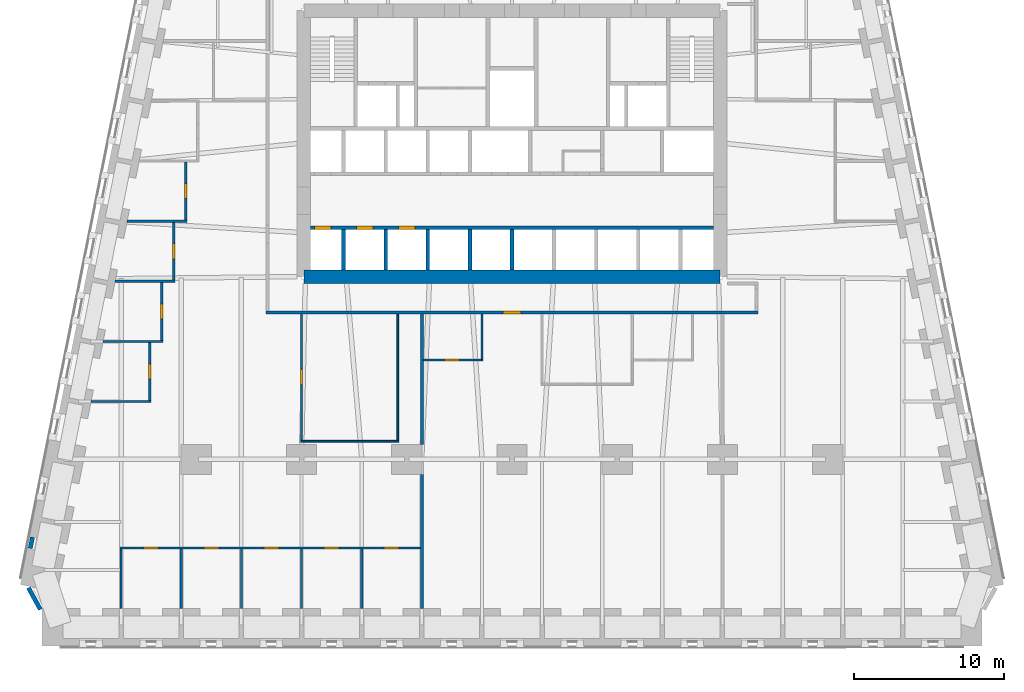
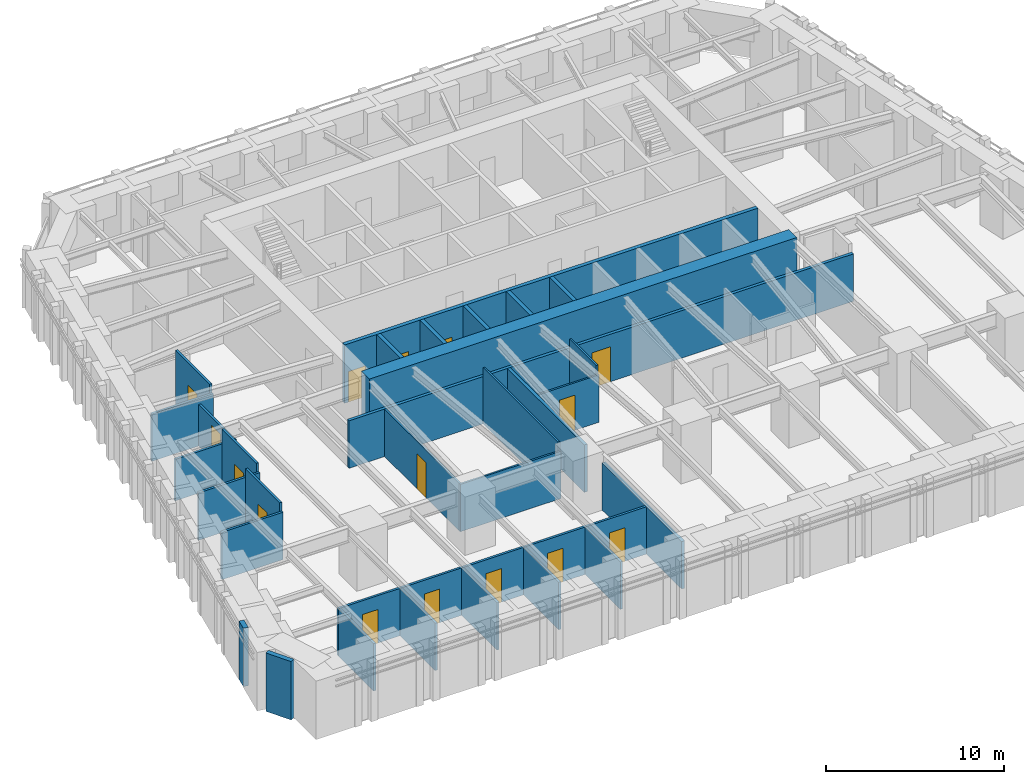
# One storey, part 11 of 16: 31 walls, 15 doors, 15 openings.
"""IFC4 building model written with IfcOpenShell, lengths in metres."""

import ifcopenshell
import ifcopenshell.guid

model = None  # the IFC model being written
_history = None  # IfcOwnerHistory: only IFC2X3 demands one
_inside = {}  # id of a spatial element -> (the spatial element, [elements in it])
_under = {}  # id of a project, library or spatial element -> (it, [spatial elements below it])
_declared = {}  # id of a project -> (the project, [libraries it declares])
_typed = {}  # id of a type object -> (the type object, [elements of that type])
_made_of = {}  # id of a material, layer set ... -> (it, [elements and type objects made of it])


def new_model(schema):
    """Start an empty IFC model of exactly this schema.

    Asked for "IFC4X3", IfcOpenShell would pick the latest addendum, in which some entities
    have other attributes; the version numbers below select the first issue.
    IFC2X3 requires an IfcOwnerHistory on every rooted entity: one is made here for all.
    """
    global model, _history
    if schema == "IFC4X3":
        model = ifcopenshell.file(schema_version=(4, 3, 0, 0))
    else:
        model = ifcopenshell.file(schema=schema)
    _inside.clear()
    _under.clear()
    _declared.clear()
    _typed.clear()
    _made_of.clear()
    _history = None
    if model.schema == "IFC2X3":
        org = make("IfcOrganization", Name="unknown")
        user = make(
            "IfcPersonAndOrganization",
            ThePerson=make("IfcPerson", FamilyName="unknown"),
            TheOrganization=org,
        )
        app = make(
            "IfcApplication",
            ApplicationDeveloper=org,
            Version="unknown",
            ApplicationFullName="unknown",
            ApplicationIdentifier="unknown",
        )
        _history = make(
            "IfcOwnerHistory",
            OwningUser=user,
            OwningApplication=app,
            ChangeAction="ADDED",
            CreationDate=0,
        )
    return model


def make(cls, **values):
    """One entity of the class cls with the attributes given. An attribute that is None is left unset."""
    return model.create_entity(
        cls, **{name: value for name, value in values.items() if value is not None}
    )


def rooted(cls, **values):
    """An entity with a GlobalId (a new one), such as an element, a storey or a relation."""
    return make(cls, GlobalId=ifcopenshell.guid.new(), OwnerHistory=_history, **values)


def si_unit(unit_type, name, prefix=None):
    """IfcSIUnit, for example si_unit("LENGTHUNIT", "METRE", prefix="MILLI")."""
    return make("IfcSIUnit", UnitType=unit_type, Prefix=prefix, Name=name)


def assignment(units):
    """IfcUnitAssignment: the units of a project."""
    return None if units is None else make("IfcUnitAssignment", Units=units)


def point(xyz):
    """IfcCartesianPoint."""
    return None if xyz is None else make("IfcCartesianPoint", Coordinates=xyz)


def direction(xyz):
    """IfcDirection."""
    return None if xyz is None else make("IfcDirection", DirectionRatios=xyz)


def frame(location, z_axis=None, x_axis=None):
    """IfcAxis2Placement3D, a coordinate frame: its origin and axes. An axis left out is left unset."""
    return make(
        "IfcAxis2Placement3D",
        Location=point(location),
        Axis=direction(z_axis),
        RefDirection=direction(x_axis),
    )


def frame_2d(location, x_axis=None):
    """IfcAxis2Placement2D, a coordinate frame in the plane: its origin and x axis."""
    return make(
        "IfcAxis2Placement2D", Location=point(location), RefDirection=direction(x_axis)
    )


def origin():
    """The frame at (0, 0, 0) with its axes left unset."""
    return frame((0.0, 0.0, 0.0))


def place(relative_to, where):
    """IfcLocalPlacement: puts the frame where relative to a parent placement (None: the world)."""
    return make(
        "IfcLocalPlacement", PlacementRelTo=relative_to, RelativePlacement=where
    )


def context(
    kind, dimensions, precision=None, world=None, true_north=None, identifier=None
):
    """IfcGeometricRepresentationContext, for example the 3D "Model" context."""
    return make(
        "IfcGeometricRepresentationContext",
        ContextIdentifier=identifier,
        ContextType=kind,
        CoordinateSpaceDimension=dimensions,
        Precision=precision,
        WorldCoordinateSystem=world,
        TrueNorth=true_north,
    )


def subcontext(parent, identifier, kind, view, scale=None):
    """IfcGeometricRepresentationSubContext, for example "Body" below "Model"."""
    return make(
        "IfcGeometricRepresentationSubContext",
        ContextIdentifier=identifier,
        ContextType=kind,
        ParentContext=parent,
        TargetScale=scale,
        TargetView=view,
    )


def project(units=None, contexts=None):
    """IfcProject with its units and contexts."""
    return rooted(
        "IfcProject",
        Name="project",
        RepresentationContexts=contexts,
        UnitsInContext=assignment(units),
    )


def spatial(cls, under=None, at=None, **own):
    """A site, building, storey or space (cls), placed at a placement, below another one or the project."""
    s = rooted(cls, ObjectPlacement=at, **own)
    if under is not None:
        _under.setdefault(under.id(), (under, []))[1].append(s)
    return s


def profile(cls, at=None, kind="AREA", **sizes):
    """A parametric profile (cls). Its sizes go by their IFC names, for example OverallWidth=200.0."""
    return make(cls, ProfileType=kind, Position=at, **sizes)


def rectangle(**sizes):
    """IfcRectangleProfileDef."""
    return profile("IfcRectangleProfileDef", **sizes)


def extrude(swept, where, along, depth):
    """IfcExtrudedAreaSolid: the profile swept, set in the frame where, extruded along a direction by depth."""
    return make(
        "IfcExtrudedAreaSolid",
        SweptArea=swept,
        Position=where,
        ExtrudedDirection=direction(along),
        Depth=depth,
    )


def shape(context_of_items, identifier, shape_type, items):
    """IfcShapeRepresentation: the items that make up one representation, for example the "Body"."""
    return make(
        "IfcShapeRepresentation",
        ContextOfItems=context_of_items,
        RepresentationIdentifier=identifier,
        RepresentationType=shape_type,
        Items=items,
    )


def material(Name=None, Category=None):
    """IfcMaterial."""
    return make("IfcMaterial", Name=Name, Category=Category)


def layer(
    of_material, thickness, ventilated=None, Name=None, Category=None, Priority=None
):
    """IfcMaterialLayer: one layer of a wall or slab, of a material (None: an air gap)."""
    return make(
        "IfcMaterialLayer",
        Material=of_material,
        LayerThickness=thickness,
        IsVentilated=ventilated,
        Name=Name,
        Category=Category,
        Priority=Priority,
    )


def layer_set(layers, Name=None):
    """IfcMaterialLayerSet."""
    return make("IfcMaterialLayerSet", MaterialLayers=layers, LayerSetName=Name)


def made_of(thing, what):
    """Note that an element or type object is made of a material, layer set ...; save() writes the relation."""
    if what is not None:
        _made_of.setdefault(what.id(), (what, []))[1].append(thing)
    return thing


def type_object(cls, material=None, **own):
    """A type object (cls), such as IfcWallType, which elements share."""
    return made_of(rooted(cls, **own), material)


def element(
    cls,
    number,
    at=None,
    inside=None,
    cuts=None,
    type_object=None,
    material=None,
    context=None,
    identifier="Body",
    shape_type=None,
    held_by="IfcProductDefinitionShape",
    body=None,
    shapes=None,
    **own,
):
    """One element of the class cls, such as IfcWall. Its Tag is "e" and its number.

    at: its placement. inside: the storey or other place that contains it. cuts: it is an
    opening in that element (IfcRelVoidsElement). A single representation is given by context,
    identifier, shape_type and body (its items); several are given by shapes. held_by: the class
    of the entity that holds the representations. save() writes the other relations.
    """
    e = rooted(cls, Tag="e%d" % number, ObjectPlacement=at, **own)
    if body is not None:
        shapes = [shape(context, identifier, shape_type, body)]
    if shapes is not None:
        e.Representation = make(held_by, Representations=shapes)
    if inside is not None:
        _inside.setdefault(inside.id(), (inside, []))[1].append(e)
    if cuts is not None:
        rooted(
            "IfcRelVoidsElement", RelatingBuildingElement=cuts, RelatedOpeningElement=e
        )
    if type_object is not None:
        _typed.setdefault(type_object.id(), (type_object, []))[1].append(e)
    return made_of(e, material)


def fill(opening, filler):
    """IfcRelFillsElement: the door or window that sits in an opening."""
    return rooted(
        "IfcRelFillsElement",
        RelatingOpeningElement=opening,
        RelatedBuildingElement=filler,
    )


def aggregate(whole, parts):
    """IfcRelAggregates: a whole, such as a stair, and the parts it consists of."""
    return rooted("IfcRelAggregates", RelatingObject=whole, RelatedObjects=parts)


def save(model, path):
    """Write the relations noted so far, then the file.

    IfcRelAggregates (storeys below a building ...), IfcRelContainedInSpatialStructure (elements
    in a storey), IfcRelDefinesByType, IfcRelAssociatesMaterial and IfcRelDeclares: one each for
    every whole, place, type object, material and project.
    """
    for whole, parts in _under.values():
        aggregate(whole, parts)
    for where, things in _inside.values():
        rooted(
            "IfcRelContainedInSpatialStructure",
            RelatedElements=things,
            RelatingStructure=where,
        )
    for kind, things in _typed.values():
        rooted("IfcRelDefinesByType", RelatedObjects=things, RelatingType=kind)
    for what, things in _made_of.values():
        rooted("IfcRelAssociatesMaterial", RelatedObjects=things, RelatingMaterial=what)
    for by, libraries in _declared.values():
        rooted("IfcRelDeclares", RelatingContext=by, RelatedDefinitions=libraries)
    model.write(path)


model = new_model("IFC4")

# Units and contexts
model_context = context("Model", 3, precision=1e-05, world=origin(), true_north=direction((0.0, 1.0)))
body_context = subcontext(model_context, "Body", "Model", "MODEL_VIEW")
ifc_project = project(units=[si_unit("LENGTHUNIT", "METRE"), si_unit("AREAUNIT", "SQUARE_METRE"), si_unit("VOLUMEUNIT", "CUBIC_METRE"), si_unit("PLANEANGLEUNIT", "RADIAN"), si_unit("MASSUNIT", "GRAM", prefix="KILO")], contexts=[model_context])

# Site, building, storey
site_placement = place(None, origin())
site = spatial("IfcSite", under=ifc_project, at=site_placement, CompositionType="ELEMENT")
building_placement = place(site_placement, origin())
building = spatial("IfcBuilding", under=site, at=building_placement, Name="Isbrekke Arena Tower", CompositionType="ELEMENT")
storey_placement = place(building_placement, frame((0.0, 0.0, 52.0)))
storey = spatial("IfcBuildingStorey", under=building, at=storey_placement, Name="L10", CompositionType="ELEMENT", Elevation=52.0)

# Wall
ifc_material_1 = material(Name="Concrete B65 (C65/80)", Category="concrete")
ifc_layer_1 = layer(ifc_material_1, 0.89990234375)
ifc_layer_set_1 = layer_set([ifc_layer_1], Name="CW2 CORE WALL 900")
wall_type_1 = type_object("IfcWallType", Name="CW2 CORE WALL 900", PredefinedType="SHEAR", material=ifc_layer_set_1)
wall_1_placement = place(storey_placement, frame((-13.85009765625, 6.14990234375, 0.0), z_axis=(0.0, 0.0, 1.0), x_axis=(1.0, 0.0, 0.0)))
element("IfcWall", 1, at=wall_1_placement, inside=storey, type_object=wall_type_1, Name="Core wall S L10", PredefinedType="SHEAR", context=body_context, shape_type="SweptSolid", body=[
    extrude(rectangle(XDim=27.7001953125, YDim=0.89990234375, at=frame_2d((13.85009765625, 0.0))), origin(), (0.0, 0.0, 1.0), 4.0),
])

# Wall, openings, doors
ifc_material_2 = material(Name="Concrete B45 (C45/55)", Category="concrete")
ifc_layer_2 = layer(ifc_material_2, 0.25)
ifc_layer_set_2 = layer_set([ifc_layer_2], Name="CW6 SHAFT WALL 250")
wall_type_2 = type_object("IfcWallType", Name="CW6 SHAFT WALL 250", PredefinedType="SHEAR", material=ifc_layer_set_2)
wall_2_placement = place(storey_placement, frame((-13.39990234375, 9.39990234375, 0.0), z_axis=(0.0, 0.0, 1.0), x_axis=(1.0, 0.0, 0.0)))
wall_2 = element("IfcWall", 2, at=wall_2_placement, inside=storey, type_object=wall_type_2, Name="Core wall LS L10", PredefinedType="SHEAR", context=body_context, shape_type="SweptSolid", body=[
    extrude(rectangle(XDim=26.7998046875, YDim=0.25, at=frame_2d((13.39990234375, 0.0))), origin(), (0.0, 0.0, 1.0), 4.0),
])
opening_1_placement = place(wall_2_placement, frame((0.25, 0.0, 0.0)))
opening_1 = element("IfcOpeningElement", 3, at=opening_1_placement, cuts=wall_2, Name="Opening LD1", PredefinedType="OPENING", context=body_context, shape_type="SweptSolid", body=[
    extrude(rectangle(XDim=1.10009765625, YDim=2.10009765625, at=frame_2d((0.550048828125, 1.050048828125))), frame((0.0, 0.139892578125, 0.0), z_axis=(0.0, -1.0, 0.0), x_axis=(1.0, 0.0, 0.0)), (0.0, 0.0, 1.0), 0.27978515625),
])
opening_2_placement = place(wall_2_placement, frame((3.050048828125, 0.0, 0.0)))
opening_2 = element("IfcOpeningElement", 4, at=opening_2_placement, cuts=wall_2, Name="Opening LD1", PredefinedType="OPENING", context=body_context, shape_type="SweptSolid", body=[
    extrude(rectangle(XDim=1.10009765625, YDim=2.10009765625, at=frame_2d((0.550048828125, 1.050048828125))), frame((0.0, 0.139892578125, 0.0), z_axis=(0.0, -1.0, 0.0), x_axis=(1.0, 0.0, 0.0)), (0.0, 0.0, 1.0), 0.27978515625),
])
opening_3_placement = place(wall_2_placement, frame((5.85009765625, 0.0, 0.0)))
opening_3 = element("IfcOpeningElement", 5, at=opening_3_placement, cuts=wall_2, Name="Opening LD1", PredefinedType="OPENING", context=body_context, shape_type="SweptSolid", body=[
    extrude(rectangle(XDim=1.10009765625, YDim=2.10009765625, at=frame_2d((0.550048828125, 1.050048828125))), frame((0.0, 0.139892578125, 0.0), z_axis=(0.0, -1.0, 0.0), x_axis=(1.0, 0.0, 0.0)), (0.0, 0.0, 1.0), 0.27978515625),
])
ifc_material_3 = material(Name="Stainless steel lift landing door", Category="steel")
door_type_1 = type_object("IfcDoorType", Name="LD1 LIFT LANDING DOOR 1100 x 2100", OperationType="SLIDING_TO_LEFT", PredefinedType="DOOR", material=ifc_material_3)
door_1_placement = place(opening_1_placement, origin())
door_1 = element("IfcDoor", 6, at=door_1_placement, inside=storey, type_object=door_type_1, Name="LD1 lift landing door LA L10", OperationType="SLIDING_TO_LEFT", OverallHeight=2.10009765625, OverallWidth=1.10009765625, PredefinedType="DOOR", context=body_context, shape_type="SweptSolid", body=[
    extrude(rectangle(XDim=1.10009765625, YDim=2.10009765625, at=frame_2d((0.550048828125, 1.050048828125))), frame((0.0, 0.124755859375, 0.0), z_axis=(0.0, -1.0, 0.0), x_axis=(1.0, 0.0, 0.0)), (0.0, 0.0, 1.0), 0.24951171875),
])
fill(opening_1, door_1)
door_2_placement = place(opening_2_placement, origin())
door_2 = element("IfcDoor", 7, at=door_2_placement, inside=storey, type_object=door_type_1, Name="LD1 lift landing door LA L10", OperationType="SLIDING_TO_LEFT", OverallHeight=2.10009765625, OverallWidth=1.10009765625, PredefinedType="DOOR", context=body_context, shape_type="SweptSolid", body=[
    extrude(rectangle(XDim=1.10009765625, YDim=2.10009765625, at=frame_2d((0.550048828125, 1.050048828125))), frame((0.0, 0.124755859375, 0.0), z_axis=(0.0, -1.0, 0.0), x_axis=(1.0, 0.0, 0.0)), (0.0, 0.0, 1.0), 0.24951171875),
])
fill(opening_2, door_2)
door_3_placement = place(opening_3_placement, origin())
door_3 = element("IfcDoor", 8, at=door_3_placement, inside=storey, type_object=door_type_1, Name="LD1 lift landing door LA L10", OperationType="SLIDING_TO_LEFT", OverallHeight=2.10009765625, OverallWidth=1.10009765625, PredefinedType="DOOR", context=body_context, shape_type="SweptSolid", body=[
    extrude(rectangle(XDim=1.10009765625, YDim=2.10009765625, at=frame_2d((0.550048828125, 1.050048828125))), frame((0.0, 0.124755859375, 0.0), z_axis=(0.0, -1.0, 0.0), x_axis=(1.0, 0.0, 0.0)), (0.0, 0.0, 1.0), 0.24951171875),
])
fill(opening_3, door_3)

# Walls
for number, where, z_axis, x_axis, name in (
    (9, (-11.199951171875, 6.60009765625, 0.0), (0.0, 0.0, 1.0), (0.0, 1.0, 0.0), "Core wall SS01 L10"),
    (10, (-8.39990234375, 6.60009765625, 0.0), (0.0, 0.0, 1.0), (0.0, 1.0, 0.0), "Core wall SS02 L10"),
    (11, (-5.60009765625, 6.60009765625, 0.0), (0.0, 0.0, 1.0), (0.0, 1.0, 0.0), "Core wall SS03 L10"),
    (12, (-2.800048828125, 6.60009765625, 0.0), (0.0, 0.0, 1.0), (0.0, 1.0, 0.0), "Core wall SS04 L10"),
    (13, (0.0, 6.60009765625, 0.0), (0.0, 0.0, 1.0), (0.0, 1.0, 0.0), "Core wall SS05 L10"),
):
    element("IfcWall", number, at=place(storey_placement, frame(where, z_axis=z_axis, x_axis=x_axis)), inside=storey, type_object=wall_type_2, Name=name, PredefinedType="SHEAR", context=body_context, shape_type="SweptSolid", body=[
        extrude(rectangle(XDim=2.6748046875, YDim=0.25, at=frame_2d((1.33740234375, 0.0))), origin(), (0.0, 0.0, 1.0), 4.0),
    ])
ifc_material_4 = material(Name="Insulated aluminium panel on steel framing", Category="steel")
ifc_layer_3 = layer(ifc_material_4, 0.300048828125)
ifc_layer_set_3 = layer_set([ifc_layer_3], Name="EW4 INSULATED PANEL WALL 300")
wall_type_3 = type_object("IfcWallType", Name="EW4 INSULATED PANEL WALL 300", PredefinedType="SOLIDWALL", material=ifc_layer_set_3)
wall_3_placement = place(storey_placement, frame((-31.890380859375, -11.1767578125, 0.0), z_axis=(0.0, 0.0, 1.0), x_axis=(-0.195867092459, -0.980630451338, 0.0)))
element("IfcWall", 14, at=wall_3_placement, inside=storey, type_object=wall_type_3, Name="EW4 closure panel L10-W 1", PredefinedType="SOLIDWALL", context=body_context, shape_type="SweptSolid", body=[
    extrude(rectangle(XDim=0.754150390625, YDim=0.300048828125, at=frame_2d((0.376953125, 0.0))), origin(), (0.0, 0.0, 1.0), 4.0),
])
wall_4_placement = place(storey_placement, frame((-32.160400390625, -14.538818359375, 0.0), z_axis=(0.0, 0.0, 1.0), x_axis=(0.481879089964, -0.876237720402, 0.0)))
element("IfcWall", 15, at=wall_4_placement, inside=storey, type_object=wall_type_3, Name="EW4 corner closure panel L10-WS", PredefinedType="SOLIDWALL", context=body_context, shape_type="SweptSolid", body=[
    extrude(rectangle(XDim=1.654296875, YDim=0.300048828125, at=frame_2d((0.8271484375, 0.0))), origin(), (0.0, 0.0, 1.0), 4.0),
])

# Wall, openings, doors
ifc_material_5 = material(Name="Gypsum board partition on steel studs", Category="steel")
ifc_layer_4 = layer(ifc_material_5, 0.14990234375)
ifc_layer_set_4 = layer_set([ifc_layer_4], Name="IW1 PARTITION 150")
wall_type_4 = type_object("IfcWallType", Name="IW1 PARTITION 150", PredefinedType="PARTITIONING", material=ifc_layer_set_4)
wall_5_placement = place(storey_placement, frame((-26.074951171875, -11.89990234375, 0.0), z_axis=(0.0, 0.0, 1.0), x_axis=(1.0, 0.0, 0.0)))
wall_5 = element("IfcWall", 16, at=wall_5_placement, inside=storey, type_object=wall_type_4, Name="IW1 partition 150 L10", PredefinedType="PARTITIONING", context=body_context, shape_type="SweptSolid", body=[
    extrude(rectangle(XDim=19.974853515625, YDim=0.14990234375, at=frame_2d((9.9873046875, 0.0))), origin(), (0.0, 0.0, 1.0), 3.25),
])
opening_4_placement = place(wall_5_placement, frame((1.574951171875, 0.0, 0.0)))
opening_4 = element("IfcOpeningElement", 17, at=opening_4_placement, cuts=wall_5, Name="Opening D10", PredefinedType="OPENING", context=body_context, shape_type="SweptSolid", body=[
    extrude(rectangle(XDim=1.0, YDim=2.300048828125, at=frame_2d((0.5, 1.14990234375))), frame((0.0, 0.08984375, 0.0), z_axis=(0.0, -1.0, 0.0), x_axis=(1.0, 0.0, 0.0)), (0.0, 0.0, 1.0), 0.1796875),
])
opening_5_placement = place(wall_5_placement, frame((5.574951171875, 0.0, 0.0)))
opening_5 = element("IfcOpeningElement", 18, at=opening_5_placement, cuts=wall_5, Name="Opening D10", PredefinedType="OPENING", context=body_context, shape_type="SweptSolid", body=[
    extrude(rectangle(XDim=1.0, YDim=2.300048828125, at=frame_2d((0.5, 1.14990234375))), frame((0.0, 0.08984375, 0.0), z_axis=(0.0, -1.0, 0.0), x_axis=(1.0, 0.0, 0.0)), (0.0, 0.0, 1.0), 0.1796875),
])
opening_6_placement = place(wall_5_placement, frame((9.574951171875, 0.0, 0.0)))
opening_6 = element("IfcOpeningElement", 19, at=opening_6_placement, cuts=wall_5, Name="Opening D10", PredefinedType="OPENING", context=body_context, shape_type="SweptSolid", body=[
    extrude(rectangle(XDim=1.0, YDim=2.300048828125, at=frame_2d((0.5, 1.14990234375))), frame((0.0, 0.08984375, 0.0), z_axis=(0.0, -1.0, 0.0), x_axis=(1.0, 0.0, 0.0)), (0.0, 0.0, 1.0), 0.1796875),
])
opening_7_placement = place(wall_5_placement, frame((13.574951171875, 0.0, 0.0)))
opening_7 = element("IfcOpeningElement", 20, at=opening_7_placement, cuts=wall_5, Name="Opening D10", PredefinedType="OPENING", context=body_context, shape_type="SweptSolid", body=[
    extrude(rectangle(XDim=1.0, YDim=2.300048828125, at=frame_2d((0.5, 1.14990234375))), frame((0.0, 0.08984375, 0.0), z_axis=(0.0, -1.0, 0.0), x_axis=(1.0, 0.0, 0.0)), (0.0, 0.0, 1.0), 0.1796875),
])
opening_8_placement = place(wall_5_placement, frame((17.574951171875, 0.0, 0.0)))
opening_8 = element("IfcOpeningElement", 21, at=opening_8_placement, cuts=wall_5, Name="Opening D10", PredefinedType="OPENING", context=body_context, shape_type="SweptSolid", body=[
    extrude(rectangle(XDim=1.0, YDim=2.300048828125, at=frame_2d((0.5, 1.14990234375))), frame((0.0, 0.08984375, 0.0), z_axis=(0.0, -1.0, 0.0), x_axis=(1.0, 0.0, 0.0)), (0.0, 0.0, 1.0), 0.1796875),
])
ifc_material_6 = material(Name="Timber door", Category="wood")
door_type_2 = type_object("IfcDoorType", Name="D10 OFFICE DOOR 1000 x 2300", OperationType="SINGLE_SWING_LEFT", PredefinedType="DOOR", material=ifc_material_6)
door_4_placement = place(opening_4_placement, origin())
door_4 = element("IfcDoor", 22, at=door_4_placement, inside=storey, type_object=door_type_2, Name="D10 office door L10", OperationType="SINGLE_SWING_LEFT", OverallHeight=2.300048828125, OverallWidth=1.0, PredefinedType="DOOR", context=body_context, shape_type="SweptSolid", body=[
    extrude(rectangle(XDim=1.0, YDim=2.300048828125, at=frame_2d((0.5, 1.14990234375))), frame((0.0, 0.07470703125, 0.0), z_axis=(0.0, -1.0, 0.0), x_axis=(1.0, 0.0, 0.0)), (0.0, 0.0, 1.0), 0.1494140625),
])
fill(opening_4, door_4)
door_5_placement = place(opening_5_placement, origin())
door_5 = element("IfcDoor", 23, at=door_5_placement, inside=storey, type_object=door_type_2, Name="D10 office door L10", OperationType="SINGLE_SWING_LEFT", OverallHeight=2.300048828125, OverallWidth=1.0, PredefinedType="DOOR", context=body_context, shape_type="SweptSolid", body=[
    extrude(rectangle(XDim=1.0, YDim=2.300048828125, at=frame_2d((0.5, 1.14990234375))), frame((0.0, 0.07470703125, 0.0), z_axis=(0.0, -1.0, 0.0), x_axis=(1.0, 0.0, 0.0)), (0.0, 0.0, 1.0), 0.1494140625),
])
fill(opening_5, door_5)
door_6_placement = place(opening_6_placement, origin())
door_6 = element("IfcDoor", 24, at=door_6_placement, inside=storey, type_object=door_type_2, Name="D10 office door L10", OperationType="SINGLE_SWING_LEFT", OverallHeight=2.300048828125, OverallWidth=1.0, PredefinedType="DOOR", context=body_context, shape_type="SweptSolid", body=[
    extrude(rectangle(XDim=1.0, YDim=2.300048828125, at=frame_2d((0.5, 1.14990234375))), frame((0.0, 0.07470703125, 0.0), z_axis=(0.0, -1.0, 0.0), x_axis=(1.0, 0.0, 0.0)), (0.0, 0.0, 1.0), 0.1494140625),
])
fill(opening_6, door_6)
door_7_placement = place(opening_7_placement, origin())
door_7 = element("IfcDoor", 25, at=door_7_placement, inside=storey, type_object=door_type_2, Name="D10 office door L10", OperationType="SINGLE_SWING_LEFT", OverallHeight=2.300048828125, OverallWidth=1.0, PredefinedType="DOOR", context=body_context, shape_type="SweptSolid", body=[
    extrude(rectangle(XDim=1.0, YDim=2.300048828125, at=frame_2d((0.5, 1.14990234375))), frame((0.0, 0.07470703125, 0.0), z_axis=(0.0, -1.0, 0.0), x_axis=(1.0, 0.0, 0.0)), (0.0, 0.0, 1.0), 0.1494140625),
])
fill(opening_7, door_7)
door_8_placement = place(opening_8_placement, origin())
door_8 = element("IfcDoor", 26, at=door_8_placement, inside=storey, type_object=door_type_2, Name="D10 office door L10", OperationType="SINGLE_SWING_LEFT", OverallHeight=2.300048828125, OverallWidth=1.0, PredefinedType="DOOR", context=body_context, shape_type="SweptSolid", body=[
    extrude(rectangle(XDim=1.0, YDim=2.300048828125, at=frame_2d((0.5, 1.14990234375))), frame((0.0, 0.07470703125, 0.0), z_axis=(0.0, -1.0, 0.0), x_axis=(1.0, 0.0, 0.0)), (0.0, 0.0, 1.0), 0.1494140625),
])
fill(opening_8, door_8)

# Walls
wall_6_placement = place(storey_placement, frame((-27.996337890625, -2.159912109375, 0.0), z_axis=(0.0, 0.0, 1.0), x_axis=(1.0, 0.0, 0.0)))
element("IfcWall", 27, at=wall_6_placement, inside=storey, type_object=wall_type_4, Name="IW1 partition 150 L10", PredefinedType="PARTITIONING", context=body_context, shape_type="SweptSolid", body=[
    extrude(rectangle(XDim=3.971435546875, YDim=0.14990234375, at=frame_2d((1.98583984375, 0.0))), origin(), (0.0, 0.0, 1.0), 3.25),
])
wall_7_placement = place(storey_placement, frame((-27.1962890625, 1.840087890625, 0.0), z_axis=(0.0, 0.0, 1.0), x_axis=(1.0, 0.0, 0.0)))
element("IfcWall", 28, at=wall_7_placement, inside=storey, type_object=wall_type_4, Name="IW1 partition 150 L10", PredefinedType="PARTITIONING", context=body_context, shape_type="SweptSolid", body=[
    extrude(rectangle(XDim=3.97119140625, YDim=0.14990234375, at=frame_2d((1.985595703125, 0.0))), origin(), (0.0, 0.0, 1.0), 3.25),
])
wall_8_placement = place(storey_placement, frame((-26.396484375, 5.840087890625, 0.0), z_axis=(0.0, 0.0, 1.0), x_axis=(1.0, 0.0, 0.0)))
element("IfcWall", 29, at=wall_8_placement, inside=storey, type_object=wall_type_4, Name="IW1 partition 150 L10", PredefinedType="PARTITIONING", context=body_context, shape_type="SweptSolid", body=[
    extrude(rectangle(XDim=3.971435546875, YDim=0.14990234375, at=frame_2d((1.98583984375, 0.0))), origin(), (0.0, 0.0, 1.0), 2.842041015625),
])
wall_9_placement = place(storey_placement, frame((-25.596435546875, 9.840087890625, 0.0), z_axis=(0.0, 0.0, 1.0), x_axis=(1.0, 0.0, 0.0)))
element("IfcWall", 30, at=wall_9_placement, inside=storey, type_object=wall_type_4, Name="IW1 partition 150 L10", PredefinedType="PARTITIONING", context=body_context, shape_type="SweptSolid", body=[
    extrude(rectangle(XDim=3.971435546875, YDim=0.14990234375, at=frame_2d((1.98583984375, 0.0))), origin(), (0.0, 0.0, 1.0), 3.25),
])
wall_10_placement = place(storey_placement, frame((-26.0, -15.925048828125, 0.0), z_axis=(0.0, 0.0, 1.0), x_axis=(0.0, 1.0, 0.0)))
element("IfcWall", 31, at=wall_10_placement, inside=storey, type_object=wall_type_4, Name="IW1 partition 150 L10", PredefinedType="PARTITIONING", context=body_context, shape_type="SweptSolid", body=[
    extrude(rectangle(XDim=3.949951171875, YDim=0.14990234375, at=frame_2d((1.97509765625, 0.0))), origin(), (0.0, 0.0, 1.0), 3.25),
])

# Wall, opening, door
wall_11_placement = place(storey_placement, frame((-24.10009765625, -2.0849609375, 0.0), z_axis=(0.0, 0.0, 1.0), x_axis=(0.0, 1.0, 0.0)))
wall_11 = element("IfcWall", 32, at=wall_11_placement, inside=storey, type_object=wall_type_4, Name="IW1 partition 150 L10", PredefinedType="PARTITIONING", context=body_context, shape_type="SweptSolid", body=[
    extrude(rectangle(XDim=3.849853515625, YDim=0.14990234375, at=frame_2d((1.9248046875, 0.0))), origin(), (0.0, 0.0, 1.0), 3.85009765625),
])
opening_9_placement = place(wall_11_placement, frame((1.425048828125, 0.0, 0.0)))
opening_9 = element("IfcOpeningElement", 33, at=opening_9_placement, cuts=wall_11, Name="Opening D10", PredefinedType="OPENING", context=body_context, shape_type="SweptSolid", body=[
    extrude(rectangle(XDim=1.0, YDim=2.300048828125, at=frame_2d((0.5, 1.14990234375))), frame((0.0, 0.08984375, 0.0), z_axis=(0.0, -1.0, 0.0), x_axis=(1.0, 0.0, 0.0)), (0.0, 0.0, 1.0), 0.1796875),
])
door_9_placement = place(opening_9_placement, origin())
door_9 = element("IfcDoor", 34, at=door_9_placement, inside=storey, type_object=door_type_2, Name="D10 office door L10", OperationType="SINGLE_SWING_LEFT", OverallHeight=2.300048828125, OverallWidth=1.0, PredefinedType="DOOR", context=body_context, shape_type="SweptSolid", body=[
    extrude(rectangle(XDim=1.0, YDim=2.300048828125, at=frame_2d((0.5, 1.14990234375))), frame((0.0, 0.07470703125, 0.0), z_axis=(0.0, -1.0, 0.0), x_axis=(1.0, 0.0, 0.0)), (0.0, 0.0, 1.0), 0.1494140625),
])
fill(opening_9, door_9)

wall_12_placement = place(storey_placement, frame((-23.300048828125, 1.9150390625, 0.0), z_axis=(0.0, 0.0, 1.0), x_axis=(0.0, 1.0, 0.0)))
wall_12 = element("IfcWall", 35, at=wall_12_placement, inside=storey, type_object=wall_type_4, Name="IW1 partition 150 L10", PredefinedType="PARTITIONING", context=body_context, shape_type="SweptSolid", body=[
    extrude(rectangle(XDim=3.849853515625, YDim=0.14990234375, at=frame_2d((1.9248046875, 0.0))), origin(), (0.0, 0.0, 1.0), 3.85009765625),
])
opening_10_placement = place(wall_12_placement, frame((1.425048828125, 0.0, 0.0)))
opening_10 = element("IfcOpeningElement", 36, at=opening_10_placement, cuts=wall_12, Name="Opening D10", PredefinedType="OPENING", context=body_context, shape_type="SweptSolid", body=[
    extrude(rectangle(XDim=1.0, YDim=2.300048828125, at=frame_2d((0.5, 1.14990234375))), frame((0.0, 0.08984375, 0.0), z_axis=(0.0, -1.0, 0.0), x_axis=(1.0, 0.0, 0.0)), (0.0, 0.0, 1.0), 0.1796875),
])
door_10_placement = place(opening_10_placement, origin())
door_10 = element("IfcDoor", 37, at=door_10_placement, inside=storey, type_object=door_type_2, Name="D10 office door L10", OperationType="SINGLE_SWING_LEFT", OverallHeight=2.300048828125, OverallWidth=1.0, PredefinedType="DOOR", context=body_context, shape_type="SweptSolid", body=[
    extrude(rectangle(XDim=1.0, YDim=2.300048828125, at=frame_2d((0.5, 1.14990234375))), frame((0.0, 0.07470703125, 0.0), z_axis=(0.0, -1.0, 0.0), x_axis=(1.0, 0.0, 0.0)), (0.0, 0.0, 1.0), 0.1494140625),
])
fill(opening_10, door_10)

wall_13_placement = place(storey_placement, frame((-22.5, 5.9150390625, 0.0), z_axis=(0.0, 0.0, 1.0), x_axis=(0.0, 1.0, 0.0)))
wall_13 = element("IfcWall", 38, at=wall_13_placement, inside=storey, type_object=wall_type_4, Name="IW1 partition 150 L10", PredefinedType="PARTITIONING", context=body_context, shape_type="SweptSolid", body=[
    extrude(rectangle(XDim=3.849853515625, YDim=0.14990234375, at=frame_2d((1.9248046875, 0.0))), origin(), (0.0, 0.0, 1.0), 2.842041015625),
])
opening_11_placement = place(wall_13_placement, frame((1.425048828125, 0.0, 0.0)))
opening_11 = element("IfcOpeningElement", 39, at=opening_11_placement, cuts=wall_13, Name="Opening D10", PredefinedType="OPENING", context=body_context, shape_type="SweptSolid", body=[
    extrude(rectangle(XDim=1.0, YDim=2.300048828125, at=frame_2d((0.5, 1.14990234375))), frame((0.0, 0.08984375, 0.0), z_axis=(0.0, -1.0, 0.0), x_axis=(1.0, 0.0, 0.0)), (0.0, 0.0, 1.0), 0.1796875),
])
door_11_placement = place(opening_11_placement, origin())
door_11 = element("IfcDoor", 40, at=door_11_placement, inside=storey, type_object=door_type_2, Name="D10 office door L10", OperationType="SINGLE_SWING_LEFT", OverallHeight=2.300048828125, OverallWidth=1.0, PredefinedType="DOOR", context=body_context, shape_type="SweptSolid", body=[
    extrude(rectangle(XDim=1.0, YDim=2.300048828125, at=frame_2d((0.5, 1.14990234375))), frame((0.0, 0.07470703125, 0.0), z_axis=(0.0, -1.0, 0.0), x_axis=(1.0, 0.0, 0.0)), (0.0, 0.0, 1.0), 0.1494140625),
])
fill(opening_11, door_11)

# Wall
wall_14_placement = place(storey_placement, frame((-22.0, -15.925048828125, 0.0), z_axis=(0.0, 0.0, 1.0), x_axis=(0.0, 1.0, 0.0)))
element("IfcWall", 41, at=wall_14_placement, inside=storey, type_object=wall_type_4, Name="IW1 partition 150 L10", PredefinedType="PARTITIONING", context=body_context, shape_type="SweptSolid", body=[
    extrude(rectangle(XDim=3.949951171875, YDim=0.14990234375, at=frame_2d((1.97509765625, 0.0))), origin(), (0.0, 0.0, 1.0), 3.25),
])

# Wall, opening, door
wall_15_placement = place(storey_placement, frame((-21.699951171875, 9.9150390625, 0.0), z_axis=(0.0, 0.0, 1.0), x_axis=(0.0, 1.0, 0.0)))
wall_15 = element("IfcWall", 42, at=wall_15_placement, inside=storey, type_object=wall_type_4, Name="IW1 partition 150 L10", PredefinedType="PARTITIONING", context=body_context, shape_type="SweptSolid", body=[
    extrude(rectangle(XDim=3.849853515625, YDim=0.14990234375, at=frame_2d((1.9248046875, 0.0))), origin(), (0.0, 0.0, 1.0), 3.85009765625),
])
opening_12_placement = place(wall_15_placement, frame((1.425048828125, 0.0, 0.0)))
opening_12 = element("IfcOpeningElement", 43, at=opening_12_placement, cuts=wall_15, Name="Opening D10", PredefinedType="OPENING", context=body_context, shape_type="SweptSolid", body=[
    extrude(rectangle(XDim=1.0, YDim=2.300048828125, at=frame_2d((0.5, 1.14990234375))), frame((0.0, 0.08984375, 0.0), z_axis=(0.0, -1.0, 0.0), x_axis=(1.0, 0.0, 0.0)), (0.0, 0.0, 1.0), 0.1796875),
])
door_12_placement = place(opening_12_placement, origin())
door_12 = element("IfcDoor", 44, at=door_12_placement, inside=storey, type_object=door_type_2, Name="D10 office door L10", OperationType="SINGLE_SWING_LEFT", OverallHeight=2.300048828125, OverallWidth=1.0, PredefinedType="DOOR", context=body_context, shape_type="SweptSolid", body=[
    extrude(rectangle(XDim=1.0, YDim=2.300048828125, at=frame_2d((0.5, 1.14990234375))), frame((0.0, 0.07470703125, 0.0), z_axis=(0.0, -1.0, 0.0), x_axis=(1.0, 0.0, 0.0)), (0.0, 0.0, 1.0), 0.1494140625),
])
fill(opening_12, door_12)

# Walls
for number, where, z_axis, x_axis, name in (
    (45, (-18.0, -15.925048828125, 0.0), (0.0, 0.0, 1.0), (0.0, 1.0, 0.0), "IW1 partition 150 L10"),
    (46, (-14.0, -15.925048828125, 0.0), (0.0, 0.0, 1.0), (0.0, 1.0, 0.0), "IW1 partition 150 L10"),
    (47, (-10.0, -15.925048828125, 0.0), (0.0, 0.0, 1.0), (0.0, 1.0, 0.0), "IW1 partition 150 L10"),
):
    element("IfcWall", number, at=place(storey_placement, frame(where, z_axis=z_axis, x_axis=x_axis)), inside=storey, type_object=wall_type_4, Name=name, PredefinedType="PARTITIONING", context=body_context, shape_type="SweptSolid", body=[
        extrude(rectangle(XDim=3.949951171875, YDim=0.14990234375, at=frame_2d((1.97509765625, 0.0))), origin(), (0.0, 0.0, 1.0), 3.25),
    ])
ifc_material_7 = material(Name="Frameless glazed partition, laminated acoustic glass", Category="glass")
ifc_layer_5 = layer(ifc_material_7, 0.1201171875)
ifc_layer_set_5 = layer_set([ifc_layer_5], Name="IW2 GLAZED PARTITION 120")
wall_type_5 = type_object("IfcWallType", Name="IW2 GLAZED PARTITION 120", PredefinedType="PARTITIONING", material=ifc_layer_set_5)
wall_16_placement = place(storey_placement, frame((-14.06005859375, -4.800048828125, 0.0), z_axis=(0.0, 0.0, 1.0), x_axis=(1.0, 0.0, 0.0)))
element("IfcWall", 48, at=wall_16_placement, inside=storey, type_object=wall_type_5, Name="IW2 glazed partition 120 L10", PredefinedType="PARTITIONING", context=body_context, shape_type="SweptSolid", body=[
    extrude(rectangle(XDim=6.52001953125, YDim=0.1201171875, at=frame_2d((3.260009765625, 0.0))), origin(), (0.0, 0.0, 1.0), 3.25),
])

# Wall, opening, door
wall_17_placement = place(storey_placement, frame((-5.89990234375, 0.60009765625, 0.0), z_axis=(0.0, 0.0, 1.0), x_axis=(1.0, 0.0, 0.0)))
wall_17 = element("IfcWall", 49, at=wall_17_placement, inside=storey, type_object=wall_type_5, Name="IW2 glazed partition 120 L10", PredefinedType="PARTITIONING", context=body_context, shape_type="SweptSolid", body=[
    extrude(rectangle(XDim=3.9599609375, YDim=0.1201171875, at=frame_2d((1.97998046875, 0.0))), origin(), (0.0, 0.0, 1.0), 3.25),
])
opening_13_placement = place(wall_17_placement, frame((1.39990234375, 0.0, 0.0)))
opening_13 = element("IfcOpeningElement", 50, at=opening_13_placement, cuts=wall_17, Name="Opening D11", PredefinedType="OPENING", context=body_context, shape_type="SweptSolid", body=[
    extrude(rectangle(XDim=1.0, YDim=2.39990234375, at=frame_2d((0.5, 1.199951171875))), frame((0.0, 0.074951171875, 0.0), z_axis=(0.0, -1.0, 0.0), x_axis=(1.0, 0.0, 0.0)), (0.0, 0.0, 1.0), 0.14990234375),
])
ifc_material_8 = material(Name="Frameless glazed door", Category="glass")
door_type_3 = type_object("IfcDoorType", Name="D11 GLAZED MEETING ROOM DOOR 1000 x 2400", OperationType="SINGLE_SWING_RIGHT", PredefinedType="DOOR", material=ifc_material_8)
door_13_placement = place(opening_13_placement, origin())
door_13 = element("IfcDoor", 51, at=door_13_placement, inside=storey, type_object=door_type_3, Name="D11 quiet room door L10", OperationType="SINGLE_SWING_RIGHT", OverallHeight=2.39990234375, OverallWidth=1.0, PredefinedType="DOOR", context=body_context, shape_type="SweptSolid", body=[
    extrude(rectangle(XDim=1.0, YDim=2.39990234375, at=frame_2d((0.5, 1.199951171875))), frame((0.0, 0.059814453125, 0.0), z_axis=(0.0, -1.0, 0.0), x_axis=(1.0, 0.0, 0.0)), (0.0, 0.0, 1.0), 0.11962890625),
])
fill(opening_13, door_13)

wall_18_placement = place(storey_placement, frame((-14.0, -4.739990234375, 0.0), z_axis=(0.0, 0.0, 1.0), x_axis=(0.0, 1.0, 0.0)))
wall_18 = element("IfcWall", 52, at=wall_18_placement, inside=storey, type_object=wall_type_5, Name="IW2 glazed partition 120 L10", PredefinedType="PARTITIONING", context=body_context, shape_type="SweptSolid", body=[
    extrude(rectangle(XDim=8.389892578125, YDim=0.1201171875, at=frame_2d((4.19482421875, 0.0))), origin(), (0.0, 0.0, 1.0), 3.25),
])
opening_14_placement = place(wall_18_placement, frame((3.715087890625, 0.0, 0.0)))
opening_14 = element("IfcOpeningElement", 53, at=opening_14_placement, cuts=wall_18, Name="Opening D11", PredefinedType="OPENING", context=body_context, shape_type="SweptSolid", body=[
    extrude(rectangle(XDim=1.0, YDim=2.39990234375, at=frame_2d((0.5, 1.199951171875))), frame((0.0, 0.074951171875, 0.0), z_axis=(0.0, -1.0, 0.0), x_axis=(1.0, 0.0, 0.0)), (0.0, 0.0, 1.0), 0.14990234375),
])
door_14_placement = place(opening_14_placement, origin())
door_14 = element("IfcDoor", 54, at=door_14_placement, inside=storey, type_object=door_type_3, Name="D11 meeting room door L10", OperationType="SINGLE_SWING_RIGHT", OverallHeight=2.39990234375, OverallWidth=1.0, PredefinedType="DOOR", context=body_context, shape_type="SweptSolid", body=[
    extrude(rectangle(XDim=1.0, YDim=2.39990234375, at=frame_2d((0.5, 1.199951171875))), frame((0.0, 0.059814453125, 0.0), z_axis=(0.0, -1.0, 0.0), x_axis=(1.0, 0.0, 0.0)), (0.0, 0.0, 1.0), 0.11962890625),
])
fill(opening_14, door_14)

# Walls
wall_19_placement = place(storey_placement, frame((-7.60009765625, -4.739990234375, 0.0), z_axis=(0.0, 0.0, 1.0), x_axis=(0.0, 1.0, 0.0)))
element("IfcWall", 55, at=wall_19_placement, inside=storey, type_object=wall_type_5, Name="IW2 glazed partition 120 L10", PredefinedType="PARTITIONING", context=body_context, shape_type="SweptSolid", body=[
    extrude(rectangle(XDim=8.389892578125, YDim=0.1201171875, at=frame_2d((4.19482421875, 0.0))), origin(), (0.0, 0.0, 1.0), 3.85009765625),
])
wall_20_placement = place(storey_placement, frame((-2.0, 0.659912109375, 0.0), z_axis=(0.0, 0.0, 1.0), x_axis=(0.0, 1.0, 0.0)))
element("IfcWall", 56, at=wall_20_placement, inside=storey, type_object=wall_type_5, Name="IW2 glazed partition 120 L10", PredefinedType="PARTITIONING", context=body_context, shape_type="SweptSolid", body=[
    extrude(rectangle(XDim=2.989990234375, YDim=0.1201171875, at=frame_2d((1.4951171875, 0.0))), origin(), (0.0, 0.0, 1.0), 3.85009765625),
])

# Wall, opening, door
ifc_material_9 = material(Name="Gypsum board fire-cell wall on steel studs, two layers each side", Category="steel")
ifc_layer_6 = layer(ifc_material_9, 0.199951171875)
ifc_layer_set_6 = layer_set([ifc_layer_6], Name="IW3 FIRE-CELL WALL 200")
wall_type_6 = type_object("IfcWallType", Name="IW3 FIRE-CELL WALL 200", PredefinedType="PARTITIONING", material=ifc_layer_set_6)
wall_21_placement = place(storey_placement, frame((-16.35009765625, 3.75, 0.0), z_axis=(0.0, 0.0, 1.0), x_axis=(1.0, 0.0, 0.0)))
wall_21 = element("IfcWall", 57, at=wall_21_placement, inside=storey, type_object=wall_type_6, Name="IW3 fire-cell wall 200 L10", PredefinedType="PARTITIONING", context=body_context, shape_type="SweptSolid", body=[
    extrude(rectangle(XDim=32.7001953125, YDim=0.199951171875, at=frame_2d((16.35009765625, 0.0))), origin(), (0.0, 0.0, 1.0), 3.25),
])
opening_15_placement = place(wall_21_placement, frame((15.75, 0.0, 0.0)))
opening_15 = element("IfcOpeningElement", 58, at=opening_15_placement, cuts=wall_21, Name="Opening D12", PredefinedType="OPENING", context=body_context, shape_type="SweptSolid", body=[
    extrude(rectangle(XDim=1.199951171875, YDim=2.39990234375, at=frame_2d((0.60009765625, 1.199951171875))), frame((0.0, 0.11474609375, 0.0), z_axis=(0.0, -1.0, 0.0), x_axis=(1.0, 0.0, 0.0)), (0.0, 0.0, 1.0), 0.229736328125),
])
ifc_material_10 = material(Name="Timber fire door with vision panel", Category="wood")
door_type_4 = type_object("IfcDoorType", Name="D12 SUITE ENTRANCE DOOR 1200 x 2400", OperationType="SINGLE_SWING_LEFT", PredefinedType="DOOR", material=ifc_material_10)
door_15_placement = place(opening_15_placement, origin())
door_15 = element("IfcDoor", 59, at=door_15_placement, inside=storey, type_object=door_type_4, Name="D12 suite entrance S door L10", OperationType="SINGLE_SWING_LEFT", OverallHeight=2.39990234375, OverallWidth=1.199951171875, PredefinedType="DOOR", context=body_context, shape_type="SweptSolid", body=[
    extrude(rectangle(XDim=1.199951171875, YDim=2.39990234375, at=frame_2d((0.60009765625, 1.199951171875))), frame((0.0, 0.099609375, 0.0), z_axis=(0.0, -1.0, 0.0), x_axis=(1.0, 0.0, 0.0)), (0.0, 0.0, 1.0), 0.199462890625),
])
fill(opening_15, door_15)

# Walls
wall_22_placement = place(storey_placement, frame((-6.0, -15.925048828125, 0.0), z_axis=(0.0, 0.0, 1.0), x_axis=(0.0, 1.0, 0.0)))
element("IfcWall", 60, at=wall_22_placement, inside=storey, type_object=wall_type_6, Name="IW3 fire-cell wall 200 L10", PredefinedType="PARTITIONING", context=body_context, shape_type="SweptSolid", body=[
    extrude(rectangle(XDim=8.925048828125, YDim=0.199951171875, at=frame_2d((4.46240234375, 0.0))), origin(), (0.0, 0.0, 1.0), 3.25),
])
wall_23_placement = place(storey_placement, frame((-6.0, -5.0, 0.0), z_axis=(0.0, 0.0, 1.0), x_axis=(0.0, 1.0, 0.0)))
element("IfcWall", 61, at=wall_23_placement, inside=storey, type_object=wall_type_6, Name="IW3 fire-cell wall 200 L10", PredefinedType="PARTITIONING", context=body_context, shape_type="SweptSolid", body=[
    extrude(rectangle(XDim=8.64990234375, YDim=0.199951171875, at=frame_2d((4.324951171875, 0.0))), origin(), (0.0, 0.0, 1.0), 3.25),
])

save(model, "model.ifc")
